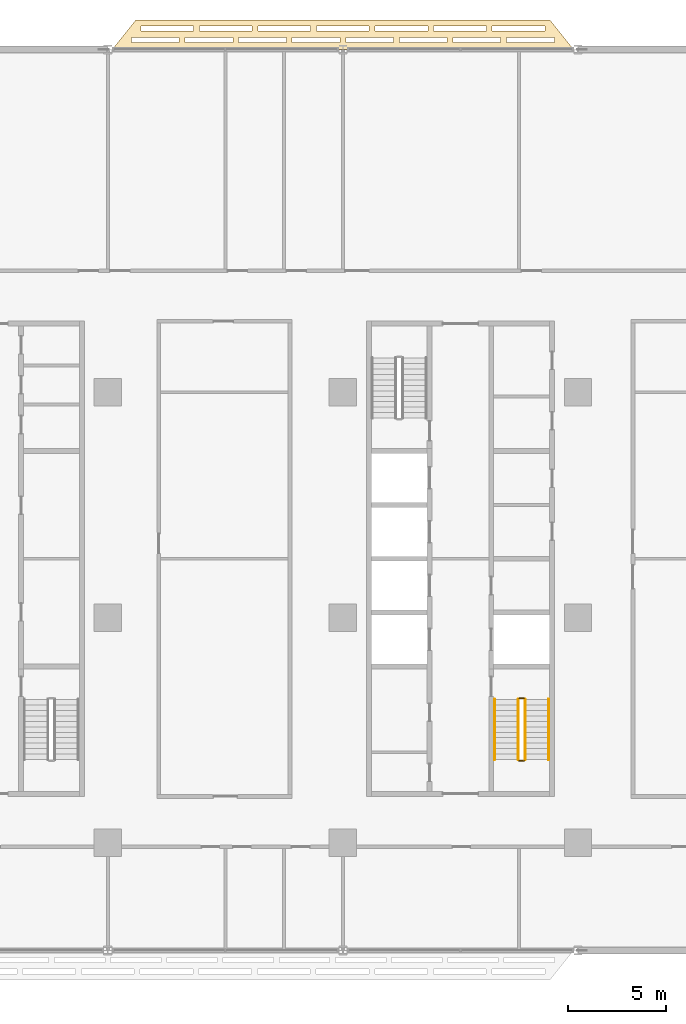
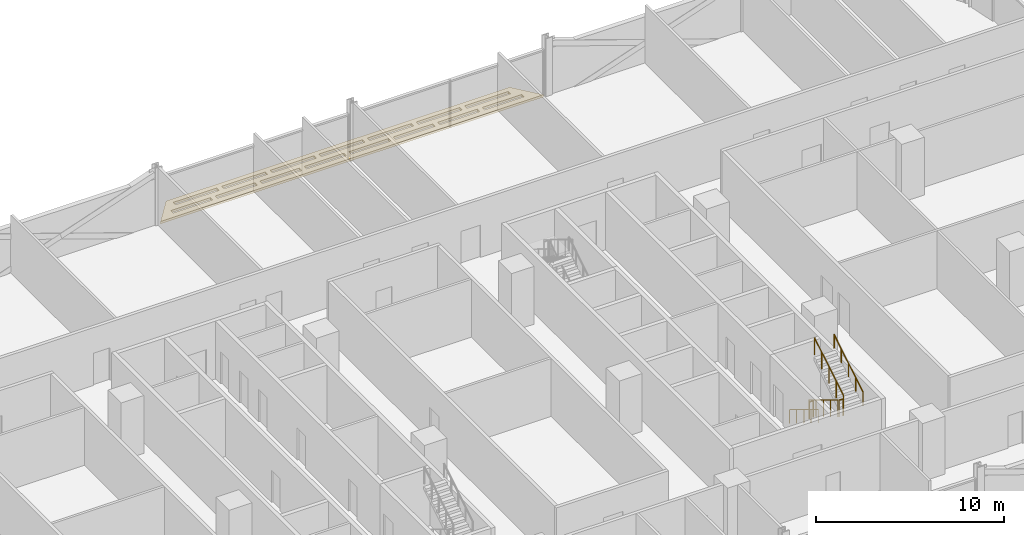
# One storey, part 28 of 29: 6 railings, 1 covering.
"""IFC4 building model written with IfcOpenShell, lengths in metres."""

from ifc_helpers import new_model, si_unit, direction, frame, origin, origin_2d, place, context, subcontext, project, spatial, polyline, circle, outline, extrude, material, layer, layer_set, type_object, element, save


model = new_model("IFC4")

# Units and contexts
model_context = context("Model", 3, precision=1e-05, world=origin(), true_north=direction((0.0, 1.0)))
body_context = subcontext(model_context, "Body", "Model", "MODEL_VIEW")
ifc_project = project(units=[si_unit("LENGTHUNIT", "METRE"), si_unit("AREAUNIT", "SQUARE_METRE"), si_unit("VOLUMEUNIT", "CUBIC_METRE"), si_unit("PLANEANGLEUNIT", "RADIAN"), si_unit("MASSUNIT", "GRAM", prefix="KILO")], contexts=[model_context])

# Site, building, storey
site_placement = place(None, origin())
site = spatial("IfcSite", under=ifc_project, at=site_placement, CompositionType="ELEMENT")
building_placement = place(site_placement, origin())
building = spatial("IfcBuilding", under=site, at=building_placement, Name="Mahtab Terrace Research Tower", CompositionType="ELEMENT")
storey_placement = place(building_placement, frame((0.0, 0.0, 109.39990234375)))
storey = spatial("IfcBuildingStorey", under=building, at=storey_placement, Name="L25", CompositionType="ELEMENT", Elevation=109.39990234375)

# Covering
ifc_material_1 = material(Name="Black anodised aluminium", Category="aluminium")
ifc_layer = layer(ifc_material_1, 0.14990234375)
ifc_layer_set = layer_set([ifc_layer], Name="Horizontal sunshade band")
covering_type = type_object("IfcCoveringType", Name="Horizontal sunshade band", PredefinedType="CLADDING", material=ifc_layer_set)
covering_placement = place(storey_placement, frame((0.0, 0.0, -0.14990234375)))
element("IfcCovering", 1, at=covering_placement, inside=storey, type_object=covering_type, Name="Sunshade band L25 5", PredefinedType="CLADDING", context=body_context, shape_type="SweptSolid", body=[
    extrude(outline(polyline([(29.77197265625, 29.0), (6.22802734375, 29.0), (7.427978515625, 30.5), (28.572021484375, 30.5), (29.77197265625, 29.0)]), holes=[polyline([(28.7919921875, 29.35009765625), (26.35595703125, 29.35009765625), (26.35595703125, 29.60009765625), (28.7919921875, 29.60009765625), (28.7919921875, 29.35009765625)]), polyline([(26.055908203125, 29.35009765625), (23.62109375, 29.35009765625), (23.62109375, 29.60009765625), (26.055908203125, 29.60009765625), (26.055908203125, 29.35009765625)]), polyline([(23.321044921875, 29.35009765625), (20.885009765625, 29.35009765625), (20.885009765625, 29.60009765625), (23.321044921875, 29.60009765625), (23.321044921875, 29.35009765625)]), polyline([(20.5849609375, 29.35009765625), (18.14990234375, 29.35009765625), (18.14990234375, 29.60009765625), (20.5849609375, 29.60009765625), (20.5849609375, 29.35009765625)]), polyline([(17.85009765625, 29.35009765625), (15.4150390625, 29.35009765625), (15.4150390625, 29.60009765625), (17.85009765625, 29.60009765625), (17.85009765625, 29.35009765625)]), polyline([(15.114013671875, 29.35009765625), (12.678955078125, 29.35009765625), (12.678955078125, 29.60009765625), (15.114013671875, 29.60009765625), (15.114013671875, 29.35009765625)]), polyline([(12.37890625, 29.35009765625), (9.944091796875, 29.35009765625), (9.944091796875, 29.60009765625), (12.37890625, 29.60009765625), (12.37890625, 29.35009765625)]), polyline([(9.64404296875, 29.35009765625), (7.2080078125, 29.35009765625), (7.2080078125, 29.60009765625), (9.64404296875, 29.60009765625), (9.64404296875, 29.35009765625)]), polyline([(28.31201171875, 29.949951171875), (25.623046875, 29.949951171875), (25.623046875, 30.199951171875), (28.31201171875, 30.199951171875), (28.31201171875, 29.949951171875)]), polyline([(25.322998046875, 29.949951171875), (22.634033203125, 29.949951171875), (22.634033203125, 30.199951171875), (25.322998046875, 30.199951171875), (25.322998046875, 29.949951171875)]), polyline([(22.333984375, 29.949951171875), (19.64501953125, 29.949951171875), (19.64501953125, 30.199951171875), (22.333984375, 30.199951171875), (22.333984375, 29.949951171875)]), polyline([(19.344970703125, 29.949951171875), (16.655029296875, 29.949951171875), (16.655029296875, 30.199951171875), (19.344970703125, 30.199951171875), (19.344970703125, 29.949951171875)]), polyline([(16.35498046875, 29.949951171875), (13.666015625, 29.949951171875), (13.666015625, 30.199951171875), (16.35498046875, 30.199951171875), (16.35498046875, 29.949951171875)]), polyline([(13.365966796875, 29.949951171875), (10.677001953125, 29.949951171875), (10.677001953125, 30.199951171875), (13.365966796875, 30.199951171875), (13.365966796875, 29.949951171875)]), polyline([(10.376953125, 29.949951171875), (7.68798828125, 29.949951171875), (7.68798828125, 30.199951171875), (10.376953125, 30.199951171875), (10.376953125, 29.949951171875)])]), origin(), (0.0, 0.0, 1.0), 0.14990234375),
])

# Railings
ifc_material_2 = material(Name="Stainless steel AISI 304", Category="steel")
railing_type_1 = type_object("IfcRailingType", Name="Stair guard 1100", PredefinedType="GUARDRAIL", material=ifc_material_2)
railing_1_placement = place(storey_placement, frame((26.949951171875, -4.175048828125, 0.1708984375)))
element("IfcRailing", 2, at=railing_1_placement, inside=storey, type_object=railing_type_1, Name="L25 ST4 stair guard 1", PredefinedType="GUARDRAIL", context=body_context, shape_type="SweptSolid", body=[
    extrude(circle(Radius=0.02392578125, at=origin_2d()), frame((0.0, 0.0, 1.076171875), z_axis=(0.0, -0.853647949592, 0.520850437417), x_axis=(1.0, 0.0, 0.0)), (0.0, 0.0, 1.0), 3.60791015625),
    extrude(circle(Radius=0.02099609375, at=origin_2d()), origin(), (0.0, 0.0, 1.0), 1.052001953125),
    extrude(circle(Radius=0.02099609375, at=origin_2d()), frame((0.0, -0.77001953125, 0.4697265625)), (0.0, 0.0, 1.0), 1.052001953125),
    extrude(circle(Radius=0.02099609375, at=origin_2d()), frame((0.0, -1.5400390625, 0.939453125)), (0.0, 0.0, 1.0), 1.052001953125),
    extrude(circle(Radius=0.02099609375, at=origin_2d()), frame((0.0, -2.309814453125, 1.409423828125)), (0.0, 0.0, 1.0), 1.052001953125),
    extrude(circle(Radius=0.02099609375, at=origin_2d()), frame((0.0, -3.079833984375, 1.879150390625)), (0.0, 0.0, 1.0), 1.052001953125),
])
railing_2_placement = place(storey_placement, frame((27.0, -7.304931640625, 2.050048828125)))
element("IfcRailing", 3, at=railing_2_placement, inside=storey, type_object=railing_type_1, Name="L25 ST4 stair guard 2", PredefinedType="GUARDRAIL", context=body_context, shape_type="SweptSolid", body=[
    extrude(circle(Radius=0.02392578125, at=origin_2d()), frame((0.0, 0.0, 1.076171875), z_axis=(1.0, 0.0, 0.0), x_axis=(0.0, 1.0, 0.0)), (0.0, 0.0, 1.0), 0.25),
    extrude(circle(Radius=0.02099609375, at=origin_2d()), origin(), (0.0, 0.0, 1.0), 1.052001953125),
    extrude(circle(Radius=0.02099609375, at=origin_2d()), frame((0.25, 0.0, 0.0)), (0.0, 0.0, 1.0), 1.052001953125),
])
railing_3_placement = place(storey_placement, frame((27.300048828125, -7.2548828125, 2.220947265625)))
element("IfcRailing", 4, at=railing_3_placement, inside=storey, type_object=railing_type_1, Name="L25 ST4 stair guard 3", PredefinedType="GUARDRAIL", context=body_context, shape_type="SweptSolid", body=[
    extrude(circle(Radius=0.02392578125, at=origin_2d()), frame((0.0, 0.0, 1.076171875), z_axis=(0.0, 0.853647949592, 0.520850437417), x_axis=(-1.0, 0.0, 0.0)), (0.0, 0.0, 1.0), 3.60791015625),
    extrude(circle(Radius=0.02099609375, at=origin_2d()), origin(), (0.0, 0.0, 1.0), 1.052001953125),
    extrude(circle(Radius=0.02099609375, at=origin_2d()), frame((0.0, 0.77001953125, 0.4697265625)), (0.0, 0.0, 1.0), 1.052001953125),
    extrude(circle(Radius=0.02099609375, at=origin_2d()), frame((0.0, 1.5400390625, 0.939453125)), (0.0, 0.0, 1.0), 1.052001953125),
    extrude(circle(Radius=0.02099609375, at=origin_2d()), frame((0.0, 2.309814453125, 1.409423828125)), (0.0, 0.0, 1.0), 1.052001953125),
    extrude(circle(Radius=0.02099609375, at=origin_2d()), frame((0.0, 3.079833984375, 1.879150390625)), (0.0, 0.0, 1.0), 1.052001953125),
])
railing_4_placement = place(storey_placement, frame((27.0, -4.125, 0.0)))
element("IfcRailing", 5, at=railing_4_placement, inside=storey, type_object=railing_type_1, Name="L25 ST4 stair guard 4", PredefinedType="GUARDRAIL", context=body_context, shape_type="SweptSolid", body=[
    extrude(circle(Radius=0.02392578125, at=origin_2d()), frame((0.0, 0.0, 1.076171875), z_axis=(1.0, 0.0, 0.0), x_axis=(0.0, 1.0, 0.0)), (0.0, 0.0, 1.0), 0.25),
    extrude(circle(Radius=0.02099609375, at=origin_2d()), origin(), (0.0, 0.0, 1.0), 1.052001953125),
    extrude(circle(Radius=0.02099609375, at=origin_2d()), frame((0.25, 0.0, 0.0)), (0.0, 0.0, 1.0), 1.052001953125),
])
railing_type_2 = type_object("IfcRailingType", Name="Stair handrail 900", PredefinedType="HANDRAIL", material=ifc_material_2)
railing_5_placement = place(storey_placement, frame((25.75, -4.175048828125, 0.1708984375)))
element("IfcRailing", 6, at=railing_5_placement, inside=storey, type_object=railing_type_2, Name="L25 ST4 stair handrail 1", PredefinedType="HANDRAIL", context=body_context, shape_type="SweptSolid", body=[
    extrude(circle(Radius=0.02392578125, at=origin_2d()), frame((0.0, 0.0, 0.8759765625), z_axis=(0.0, -0.853647949592, 0.520850437417), x_axis=(1.0, 0.0, 0.0)), (0.0, 0.0, 1.0), 3.60791015625),
    extrude(circle(Radius=0.02099609375, at=origin_2d()), origin(), (0.0, 0.0, 1.0), 0.851806640625),
    extrude(circle(Radius=0.02099609375, at=origin_2d()), frame((0.0, -0.77001953125, 0.4697265625)), (0.0, 0.0, 1.0), 0.851806640625),
    extrude(circle(Radius=0.02099609375, at=origin_2d()), frame((0.0, -1.5400390625, 0.939453125)), (0.0, 0.0, 1.0), 0.851806640625),
    extrude(circle(Radius=0.02099609375, at=origin_2d()), frame((0.0, -2.309814453125, 1.409423828125)), (0.0, 0.0, 1.0), 0.851806640625),
    extrude(circle(Radius=0.02099609375, at=origin_2d()), frame((0.0, -3.079833984375, 1.879150390625)), (0.0, 0.0, 1.0), 0.851806640625),
])
railing_6_placement = place(storey_placement, frame((28.5, -7.2548828125, 2.220947265625)))
element("IfcRailing", 7, at=railing_6_placement, inside=storey, type_object=railing_type_2, Name="L25 ST4 stair handrail 2", PredefinedType="HANDRAIL", context=body_context, shape_type="SweptSolid", body=[
    extrude(circle(Radius=0.02392578125, at=origin_2d()), frame((0.0, 0.0, 0.8759765625), z_axis=(0.0, 0.853647949592, 0.520850437417), x_axis=(-1.0, 0.0, 0.0)), (0.0, 0.0, 1.0), 3.60791015625),
    extrude(circle(Radius=0.02099609375, at=origin_2d()), origin(), (0.0, 0.0, 1.0), 0.851806640625),
    extrude(circle(Radius=0.02099609375, at=origin_2d()), frame((0.0, 0.77001953125, 0.4697265625)), (0.0, 0.0, 1.0), 0.851806640625),
    extrude(circle(Radius=0.02099609375, at=origin_2d()), frame((0.0, 1.5400390625, 0.939453125)), (0.0, 0.0, 1.0), 0.851806640625),
    extrude(circle(Radius=0.02099609375, at=origin_2d()), frame((0.0, 2.309814453125, 1.409423828125)), (0.0, 0.0, 1.0), 0.851806640625),
    extrude(circle(Radius=0.02099609375, at=origin_2d()), frame((0.0, 3.079833984375, 1.879150390625)), (0.0, 0.0, 1.0), 0.851806640625),
])

save(model, "model.ifc")
